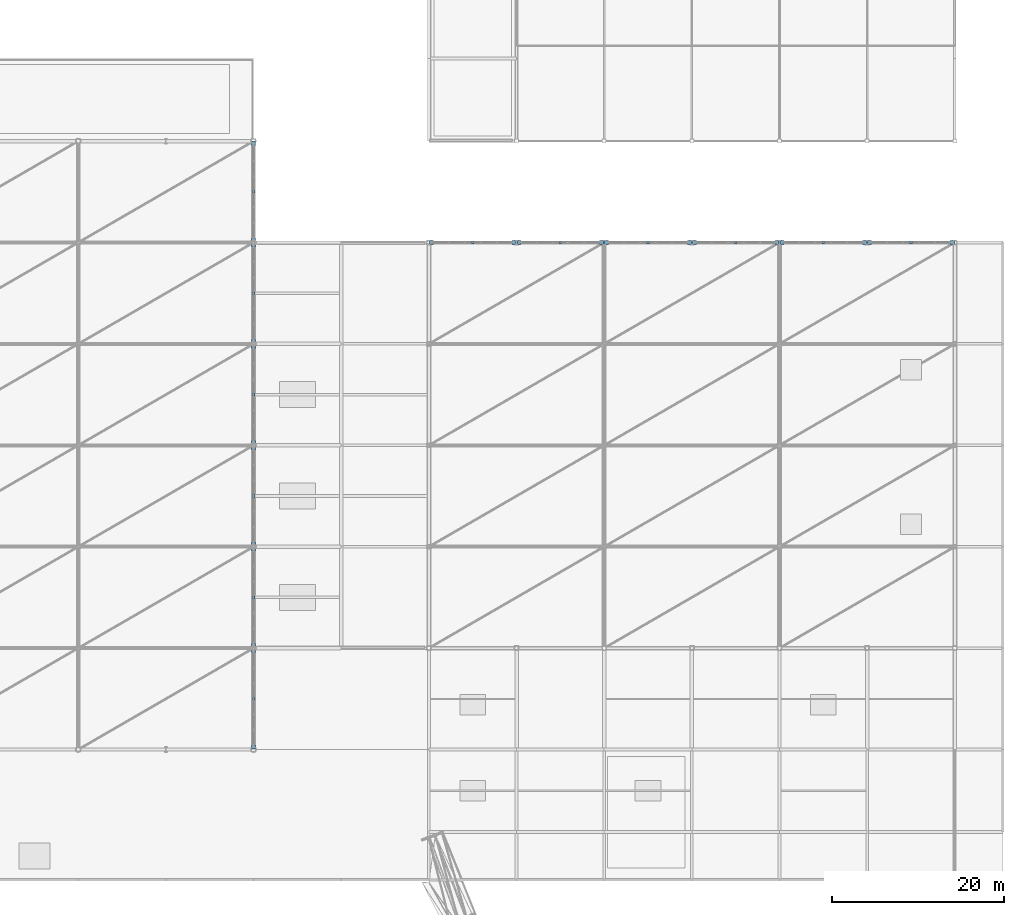
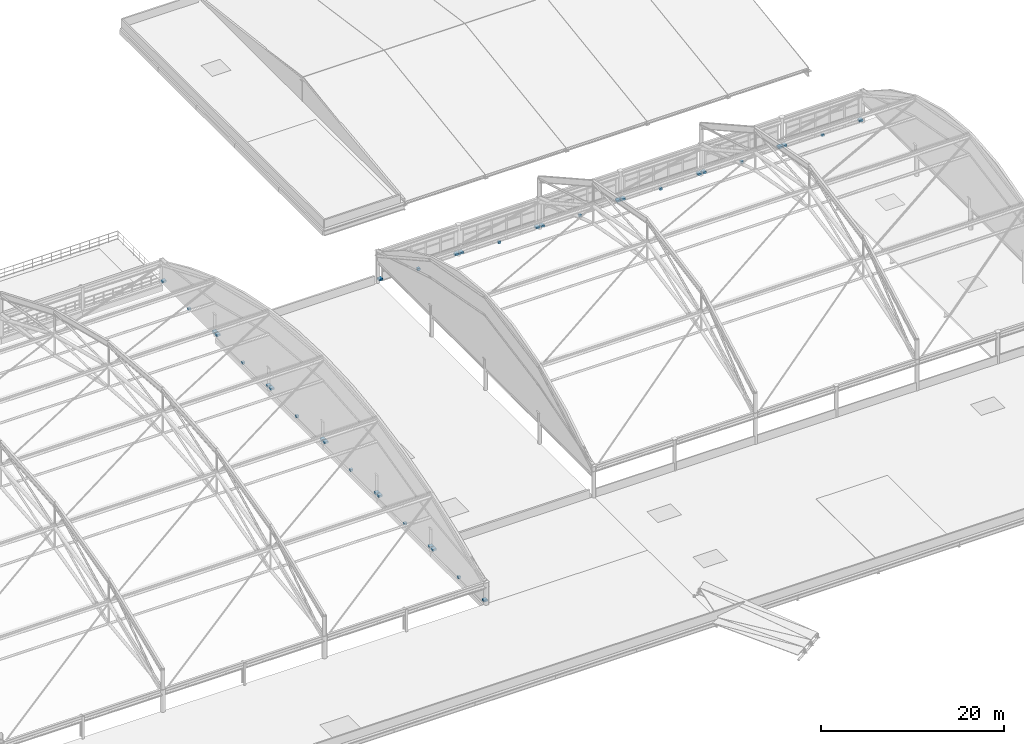
# One storey, part 128 of 135: 36 discrete accessories.
"""IFC4 building model written with IfcOpenShell, lengths in metres."""

from ifc_helpers import new_model, si_unit, direction, frame, origin, origin_2d, place, context, subcontext, project, spatial, rectangle, extrude, material, type_object, element, save


model = new_model("IFC4")

# Units and contexts
model_context = context("Model", 3, precision=1e-05, world=origin(), true_north=direction((0.0, 1.0)))
body_context = subcontext(model_context, "Body", "Model", "MODEL_VIEW")
ifc_project = project(units=[si_unit("LENGTHUNIT", "METRE"), si_unit("AREAUNIT", "SQUARE_METRE"), si_unit("VOLUMEUNIT", "CUBIC_METRE"), si_unit("PLANEANGLEUNIT", "RADIAN"), si_unit("MASSUNIT", "GRAM", prefix="KILO")], contexts=[model_context])

# Site, building, storey
site_placement = place(None, origin())
site = spatial("IfcSite", under=ifc_project, at=site_placement, CompositionType="ELEMENT")
building_placement = place(site_placement, origin())
building = spatial("IfcBuilding", under=site, at=building_placement, Name="Brelvane Convention Centre", CompositionType="ELEMENT")
storey_placement = place(building_placement, frame((0.0, 0.0, 15.0)))
storey = spatial("IfcBuildingStorey", under=building, at=storey_placement, Name="L03", CompositionType="ELEMENT", Elevation=15.0)

# Discrete accessories
ifc_material = material(Name="Steel E350 (350 MPa)", Category="steel")
discrete_accessory_type = type_object("IfcDiscreteAccessoryType", Name="Facade Outrigger Bracket BRK-02", PredefinedType="BRACKET", material=ifc_material)
for number, where, z_axis, x_axis, name in (
    (1, (163.489990234375, 87.800048828125, 0.22998046875), (0.0, 0.0, 1.0), (1.0, 0.0, 0.0), "Curtain Wall Anchor Bracket L03-PLEN-N-CLER-1-L"),
    (2, (173.110107421875, 87.800048828125, 0.22998046875), (0.0, 0.0, 1.0), (1.0, 0.0, 0.0), "Curtain Wall Anchor Bracket L03-PLEN-N-CLER-1-R"),
):
    element("IfcDiscreteAccessory", number, at=place(storey_placement, frame(where, z_axis=z_axis, x_axis=x_axis)), inside=storey, type_object=discrete_accessory_type, Name=name, PredefinedType="BRACKET", context=body_context, shape_type="SweptSolid", body=[
        extrude(rectangle(XDim=0.47998046875, YDim=0.47998046875, at=origin_2d()), origin(), (0.0, 0.0, 1.0), 0.239990234375),
    ])
discrete_accessory_1_placement = place(storey_placement, frame((168.300048828125, 87.800048828125, -0.14013671875), z_axis=(0.0, 0.0, 1.0), x_axis=(1.0, 0.0, 0.0)))
element("IfcDiscreteAccessory", 3, at=discrete_accessory_1_placement, inside=storey, type_object=discrete_accessory_type, Name="Curtain Wall Anchor Bracket L03-PLEN-N-CLER-1-B", PredefinedType="BRACKET", context=body_context, shape_type="SweptSolid", body=[
    extrude(rectangle(XDim=0.320068359375, YDim=0.320068359375, at=origin_2d()), origin(), (0.0, 0.0, 1.0), 0.280029296875),
])
for number, where, z_axis, x_axis, name in (
    (4, (173.68994140625, 87.800048828125, 0.22998046875), (0.0, 0.0, 1.0), (1.0, 0.0, 0.0), "Curtain Wall Anchor Bracket L03-PLEN-N-CLER-2-L"),
    (5, (183.31005859375, 87.800048828125, 0.22998046875), (0.0, 0.0, 1.0), (1.0, 0.0, 0.0), "Curtain Wall Anchor Bracket L03-PLEN-N-CLER-2-R"),
):
    element("IfcDiscreteAccessory", number, at=place(storey_placement, frame(where, z_axis=z_axis, x_axis=x_axis)), inside=storey, type_object=discrete_accessory_type, Name=name, PredefinedType="BRACKET", context=body_context, shape_type="SweptSolid", body=[
        extrude(rectangle(XDim=0.47998046875, YDim=0.47998046875, at=origin_2d()), origin(), (0.0, 0.0, 1.0), 0.239990234375),
    ])
discrete_accessory_2_placement = place(storey_placement, frame((178.5, 87.800048828125, -0.14013671875), z_axis=(0.0, 0.0, 1.0), x_axis=(1.0, 0.0, 0.0)))
element("IfcDiscreteAccessory", 6, at=discrete_accessory_2_placement, inside=storey, type_object=discrete_accessory_type, Name="Curtain Wall Anchor Bracket L03-PLEN-N-CLER-2-B", PredefinedType="BRACKET", context=body_context, shape_type="SweptSolid", body=[
    extrude(rectangle(XDim=0.320068359375, YDim=0.320068359375, at=origin_2d()), origin(), (0.0, 0.0, 1.0), 0.280029296875),
])
for number, where, z_axis, x_axis, name in (
    (7, (183.889892578125, 87.800048828125, 0.22998046875), (0.0, 0.0, 1.0), (1.0, 0.0, 0.0), "Curtain Wall Anchor Bracket L03-PLEN-N-CLER-3-L"),
    (8, (193.510009765625, 87.800048828125, 0.22998046875), (0.0, 0.0, 1.0), (1.0, 0.0, 0.0), "Curtain Wall Anchor Bracket L03-PLEN-N-CLER-3-R"),
):
    element("IfcDiscreteAccessory", number, at=place(storey_placement, frame(where, z_axis=z_axis, x_axis=x_axis)), inside=storey, type_object=discrete_accessory_type, Name=name, PredefinedType="BRACKET", context=body_context, shape_type="SweptSolid", body=[
        extrude(rectangle(XDim=0.47998046875, YDim=0.47998046875, at=origin_2d()), origin(), (0.0, 0.0, 1.0), 0.239990234375),
    ])
discrete_accessory_3_placement = place(storey_placement, frame((188.699951171875, 87.800048828125, -0.14013671875), z_axis=(0.0, 0.0, 1.0), x_axis=(1.0, 0.0, 0.0)))
element("IfcDiscreteAccessory", 9, at=discrete_accessory_3_placement, inside=storey, type_object=discrete_accessory_type, Name="Curtain Wall Anchor Bracket L03-PLEN-N-CLER-3-B", PredefinedType="BRACKET", context=body_context, shape_type="SweptSolid", body=[
    extrude(rectangle(XDim=0.320068359375, YDim=0.320068359375, at=origin_2d()), origin(), (0.0, 0.0, 1.0), 0.280029296875),
])
for number, where, z_axis, x_axis, name in (
    (10, (194.090087890625, 87.800048828125, 0.22998046875), (0.0, 0.0, 1.0), (1.0, 0.0, 0.0), "Curtain Wall Anchor Bracket L03-PLEN-N-CLER-4-L"),
    (11, (203.7099609375, 87.800048828125, 0.22998046875), (0.0, 0.0, 1.0), (1.0, 0.0, 0.0), "Curtain Wall Anchor Bracket L03-PLEN-N-CLER-4-R"),
):
    element("IfcDiscreteAccessory", number, at=place(storey_placement, frame(where, z_axis=z_axis, x_axis=x_axis)), inside=storey, type_object=discrete_accessory_type, Name=name, PredefinedType="BRACKET", context=body_context, shape_type="SweptSolid", body=[
        extrude(rectangle(XDim=0.47998046875, YDim=0.47998046875, at=origin_2d()), origin(), (0.0, 0.0, 1.0), 0.239990234375),
    ])
discrete_accessory_4_placement = place(storey_placement, frame((198.89990234375, 87.800048828125, -0.14013671875), z_axis=(0.0, 0.0, 1.0), x_axis=(1.0, 0.0, 0.0)))
element("IfcDiscreteAccessory", 12, at=discrete_accessory_4_placement, inside=storey, type_object=discrete_accessory_type, Name="Curtain Wall Anchor Bracket L03-PLEN-N-CLER-4-B", PredefinedType="BRACKET", context=body_context, shape_type="SweptSolid", body=[
    extrude(rectangle(XDim=0.320068359375, YDim=0.320068359375, at=origin_2d()), origin(), (0.0, 0.0, 1.0), 0.280029296875),
])
for number, where, z_axis, x_axis, name in (
    (13, (204.2900390625, 87.800048828125, 0.22998046875), (0.0, 0.0, 1.0), (1.0, 0.0, 0.0), "Curtain Wall Anchor Bracket L03-PLEN-N-CLER-5-L"),
    (14, (213.909912109375, 87.800048828125, 0.22998046875), (0.0, 0.0, 1.0), (1.0, 0.0, 0.0), "Curtain Wall Anchor Bracket L03-PLEN-N-CLER-5-R"),
):
    element("IfcDiscreteAccessory", number, at=place(storey_placement, frame(where, z_axis=z_axis, x_axis=x_axis)), inside=storey, type_object=discrete_accessory_type, Name=name, PredefinedType="BRACKET", context=body_context, shape_type="SweptSolid", body=[
        extrude(rectangle(XDim=0.47998046875, YDim=0.47998046875, at=origin_2d()), origin(), (0.0, 0.0, 1.0), 0.239990234375),
    ])
discrete_accessory_5_placement = place(storey_placement, frame((209.10009765625, 87.800048828125, -0.14013671875), z_axis=(0.0, 0.0, 1.0), x_axis=(1.0, 0.0, 0.0)))
element("IfcDiscreteAccessory", 15, at=discrete_accessory_5_placement, inside=storey, type_object=discrete_accessory_type, Name="Curtain Wall Anchor Bracket L03-PLEN-N-CLER-5-B", PredefinedType="BRACKET", context=body_context, shape_type="SweptSolid", body=[
    extrude(rectangle(XDim=0.320068359375, YDim=0.320068359375, at=origin_2d()), origin(), (0.0, 0.0, 1.0), 0.280029296875),
])
for number, where, z_axis, x_axis, name in (
    (16, (214.489990234375, 87.800048828125, 0.22998046875), (0.0, 0.0, 1.0), (1.0, 0.0, 0.0), "Curtain Wall Anchor Bracket L03-PLEN-N-CLER-6-L"),
    (17, (224.110107421875, 87.800048828125, 0.22998046875), (0.0, 0.0, 1.0), (1.0, 0.0, 0.0), "Curtain Wall Anchor Bracket L03-PLEN-N-CLER-6-R"),
):
    element("IfcDiscreteAccessory", number, at=place(storey_placement, frame(where, z_axis=z_axis, x_axis=x_axis)), inside=storey, type_object=discrete_accessory_type, Name=name, PredefinedType="BRACKET", context=body_context, shape_type="SweptSolid", body=[
        extrude(rectangle(XDim=0.47998046875, YDim=0.47998046875, at=origin_2d()), origin(), (0.0, 0.0, 1.0), 0.239990234375),
    ])
discrete_accessory_6_placement = place(storey_placement, frame((219.300048828125, 87.800048828125, -0.14013671875), z_axis=(0.0, 0.0, 1.0), x_axis=(1.0, 0.0, 0.0)))
element("IfcDiscreteAccessory", 18, at=discrete_accessory_6_placement, inside=storey, type_object=discrete_accessory_type, Name="Curtain Wall Anchor Bracket L03-PLEN-N-CLER-6-B", PredefinedType="BRACKET", context=body_context, shape_type="SweptSolid", body=[
    extrude(rectangle(XDim=0.320068359375, YDim=0.320068359375, at=origin_2d()), origin(), (0.0, 0.0, 1.0), 0.280029296875),
])
for number, where, z_axis, x_axis, name in (
    (19, (142.800048828125, 29.090087890625, 0.22998046875), (0.0, 0.0, 1.0), (1.0, 0.0, 0.0), "Curtain Wall Anchor Bracket L03-EXH-E-CLER-1-L"),
    (20, (142.800048828125, 40.31005859375, 0.22998046875), (0.0, 0.0, 1.0), (1.0, 0.0, 0.0), "Curtain Wall Anchor Bracket L03-EXH-E-CLER-1-R"),
):
    element("IfcDiscreteAccessory", number, at=place(storey_placement, frame(where, z_axis=z_axis, x_axis=x_axis)), inside=storey, type_object=discrete_accessory_type, Name=name, PredefinedType="BRACKET", context=body_context, shape_type="SweptSolid", body=[
        extrude(rectangle(XDim=0.47998046875, YDim=0.47998046875, at=origin_2d()), origin(), (0.0, 0.0, 1.0), 0.239990234375),
    ])
discrete_accessory_7_placement = place(storey_placement, frame((142.800048828125, 34.699951171875, -0.14013671875), z_axis=(0.0, 0.0, 1.0), x_axis=(1.0, 0.0, 0.0)))
element("IfcDiscreteAccessory", 21, at=discrete_accessory_7_placement, inside=storey, type_object=discrete_accessory_type, Name="Curtain Wall Anchor Bracket L03-EXH-E-CLER-1-B", PredefinedType="BRACKET", context=body_context, shape_type="SweptSolid", body=[
    extrude(rectangle(XDim=0.320068359375, YDim=0.320068359375, at=origin_2d()), origin(), (0.0, 0.0, 1.0), 0.280029296875),
])
for number, where, z_axis, x_axis, name in (
    (22, (142.800048828125, 40.889892578125, 0.22998046875), (0.0, 0.0, 1.0), (1.0, 0.0, 0.0), "Curtain Wall Anchor Bracket L03-EXH-E-CLER-2-L"),
    (23, (142.800048828125, 52.110107421875, 0.22998046875), (0.0, 0.0, 1.0), (1.0, 0.0, 0.0), "Curtain Wall Anchor Bracket L03-EXH-E-CLER-2-R"),
):
    element("IfcDiscreteAccessory", number, at=place(storey_placement, frame(where, z_axis=z_axis, x_axis=x_axis)), inside=storey, type_object=discrete_accessory_type, Name=name, PredefinedType="BRACKET", context=body_context, shape_type="SweptSolid", body=[
        extrude(rectangle(XDim=0.47998046875, YDim=0.47998046875, at=origin_2d()), origin(), (0.0, 0.0, 1.0), 0.239990234375),
    ])
discrete_accessory_8_placement = place(storey_placement, frame((142.800048828125, 46.5, -0.14013671875), z_axis=(0.0, 0.0, 1.0), x_axis=(1.0, 0.0, 0.0)))
element("IfcDiscreteAccessory", 24, at=discrete_accessory_8_placement, inside=storey, type_object=discrete_accessory_type, Name="Curtain Wall Anchor Bracket L03-EXH-E-CLER-2-B", PredefinedType="BRACKET", context=body_context, shape_type="SweptSolid", body=[
    extrude(rectangle(XDim=0.320068359375, YDim=0.320068359375, at=origin_2d()), origin(), (0.0, 0.0, 1.0), 0.280029296875),
])
for number, where, z_axis, x_axis, name in (
    (25, (142.800048828125, 52.68994140625, 0.22998046875), (0.0, 0.0, 1.0), (1.0, 0.0, 0.0), "Curtain Wall Anchor Bracket L03-EXH-E-CLER-3-L"),
    (26, (142.800048828125, 63.909912109375, 0.22998046875), (0.0, 0.0, 1.0), (1.0, 0.0, 0.0), "Curtain Wall Anchor Bracket L03-EXH-E-CLER-3-R"),
):
    element("IfcDiscreteAccessory", number, at=place(storey_placement, frame(where, z_axis=z_axis, x_axis=x_axis)), inside=storey, type_object=discrete_accessory_type, Name=name, PredefinedType="BRACKET", context=body_context, shape_type="SweptSolid", body=[
        extrude(rectangle(XDim=0.47998046875, YDim=0.47998046875, at=origin_2d()), origin(), (0.0, 0.0, 1.0), 0.239990234375),
    ])
discrete_accessory_9_placement = place(storey_placement, frame((142.800048828125, 58.300048828125, -0.14013671875), z_axis=(0.0, 0.0, 1.0), x_axis=(1.0, 0.0, 0.0)))
element("IfcDiscreteAccessory", 27, at=discrete_accessory_9_placement, inside=storey, type_object=discrete_accessory_type, Name="Curtain Wall Anchor Bracket L03-EXH-E-CLER-3-B", PredefinedType="BRACKET", context=body_context, shape_type="SweptSolid", body=[
    extrude(rectangle(XDim=0.320068359375, YDim=0.320068359375, at=origin_2d()), origin(), (0.0, 0.0, 1.0), 0.280029296875),
])
for number, where, z_axis, x_axis, name in (
    (28, (142.800048828125, 64.489990234375, 0.22998046875), (0.0, 0.0, 1.0), (1.0, 0.0, 0.0), "Curtain Wall Anchor Bracket L03-EXH-E-CLER-4-L"),
    (29, (142.800048828125, 75.7099609375, 0.22998046875), (0.0, 0.0, 1.0), (1.0, 0.0, 0.0), "Curtain Wall Anchor Bracket L03-EXH-E-CLER-4-R"),
):
    element("IfcDiscreteAccessory", number, at=place(storey_placement, frame(where, z_axis=z_axis, x_axis=x_axis)), inside=storey, type_object=discrete_accessory_type, Name=name, PredefinedType="BRACKET", context=body_context, shape_type="SweptSolid", body=[
        extrude(rectangle(XDim=0.47998046875, YDim=0.47998046875, at=origin_2d()), origin(), (0.0, 0.0, 1.0), 0.239990234375),
    ])
discrete_accessory_10_placement = place(storey_placement, frame((142.800048828125, 70.10009765625, -0.14013671875), z_axis=(0.0, 0.0, 1.0), x_axis=(1.0, 0.0, 0.0)))
element("IfcDiscreteAccessory", 30, at=discrete_accessory_10_placement, inside=storey, type_object=discrete_accessory_type, Name="Curtain Wall Anchor Bracket L03-EXH-E-CLER-4-B", PredefinedType="BRACKET", context=body_context, shape_type="SweptSolid", body=[
    extrude(rectangle(XDim=0.320068359375, YDim=0.320068359375, at=origin_2d()), origin(), (0.0, 0.0, 1.0), 0.280029296875),
])
for number, where, z_axis, x_axis, name in (
    (31, (142.800048828125, 76.2900390625, 0.22998046875), (0.0, 0.0, 1.0), (1.0, 0.0, 0.0), "Curtain Wall Anchor Bracket L03-EXH-E-CLER-5-L"),
    (32, (142.800048828125, 87.510009765625, 0.22998046875), (0.0, 0.0, 1.0), (1.0, 0.0, 0.0), "Curtain Wall Anchor Bracket L03-EXH-E-CLER-5-R"),
):
    element("IfcDiscreteAccessory", number, at=place(storey_placement, frame(where, z_axis=z_axis, x_axis=x_axis)), inside=storey, type_object=discrete_accessory_type, Name=name, PredefinedType="BRACKET", context=body_context, shape_type="SweptSolid", body=[
        extrude(rectangle(XDim=0.47998046875, YDim=0.47998046875, at=origin_2d()), origin(), (0.0, 0.0, 1.0), 0.239990234375),
    ])
discrete_accessory_11_placement = place(storey_placement, frame((142.800048828125, 81.89990234375, -0.14013671875), z_axis=(0.0, 0.0, 1.0), x_axis=(1.0, 0.0, 0.0)))
element("IfcDiscreteAccessory", 33, at=discrete_accessory_11_placement, inside=storey, type_object=discrete_accessory_type, Name="Curtain Wall Anchor Bracket L03-EXH-E-CLER-5-B", PredefinedType="BRACKET", context=body_context, shape_type="SweptSolid", body=[
    extrude(rectangle(XDim=0.320068359375, YDim=0.320068359375, at=origin_2d()), origin(), (0.0, 0.0, 1.0), 0.280029296875),
])
for number, where, z_axis, x_axis, name in (
    (34, (142.800048828125, 88.090087890625, 0.22998046875), (0.0, 0.0, 1.0), (1.0, 0.0, 0.0), "Curtain Wall Anchor Bracket L03-EXH-E-CLER-6-L"),
    (35, (142.800048828125, 99.31005859375, 0.22998046875), (0.0, 0.0, 1.0), (1.0, 0.0, 0.0), "Curtain Wall Anchor Bracket L03-EXH-E-CLER-6-R"),
):
    element("IfcDiscreteAccessory", number, at=place(storey_placement, frame(where, z_axis=z_axis, x_axis=x_axis)), inside=storey, type_object=discrete_accessory_type, Name=name, PredefinedType="BRACKET", context=body_context, shape_type="SweptSolid", body=[
        extrude(rectangle(XDim=0.47998046875, YDim=0.47998046875, at=origin_2d()), origin(), (0.0, 0.0, 1.0), 0.239990234375),
    ])
discrete_accessory_12_placement = place(storey_placement, frame((142.800048828125, 93.699951171875, -0.14013671875), z_axis=(0.0, 0.0, 1.0), x_axis=(1.0, 0.0, 0.0)))
element("IfcDiscreteAccessory", 36, at=discrete_accessory_12_placement, inside=storey, type_object=discrete_accessory_type, Name="Curtain Wall Anchor Bracket L03-EXH-E-CLER-6-B", PredefinedType="BRACKET", context=body_context, shape_type="SweptSolid", body=[
    extrude(rectangle(XDim=0.320068359375, YDim=0.320068359375, at=origin_2d()), origin(), (0.0, 0.0, 1.0), 0.280029296875),
])

save(model, "model.ifc")
